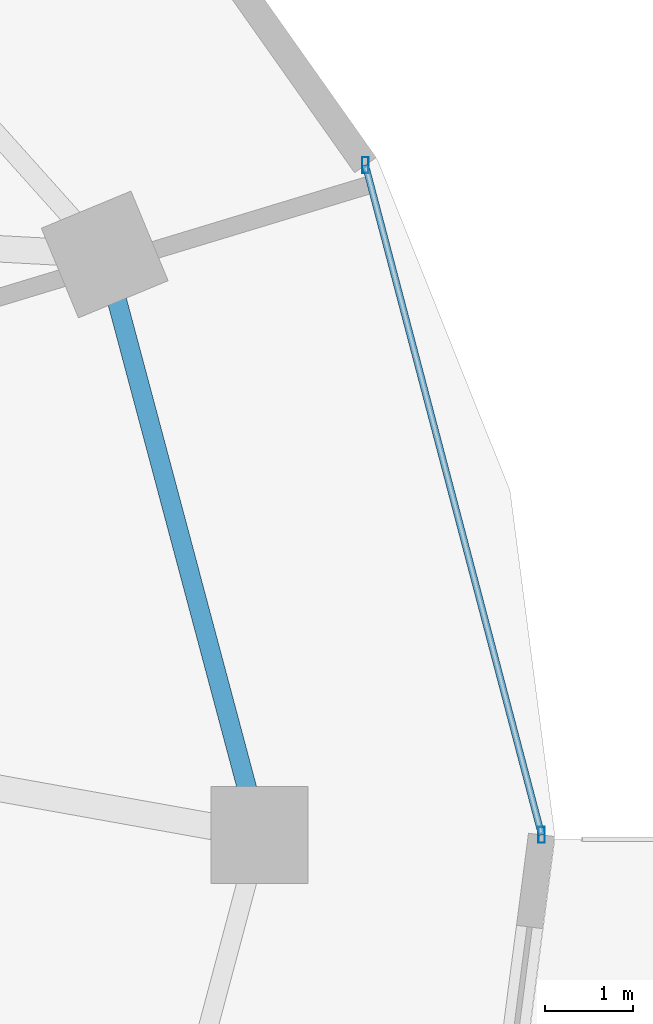
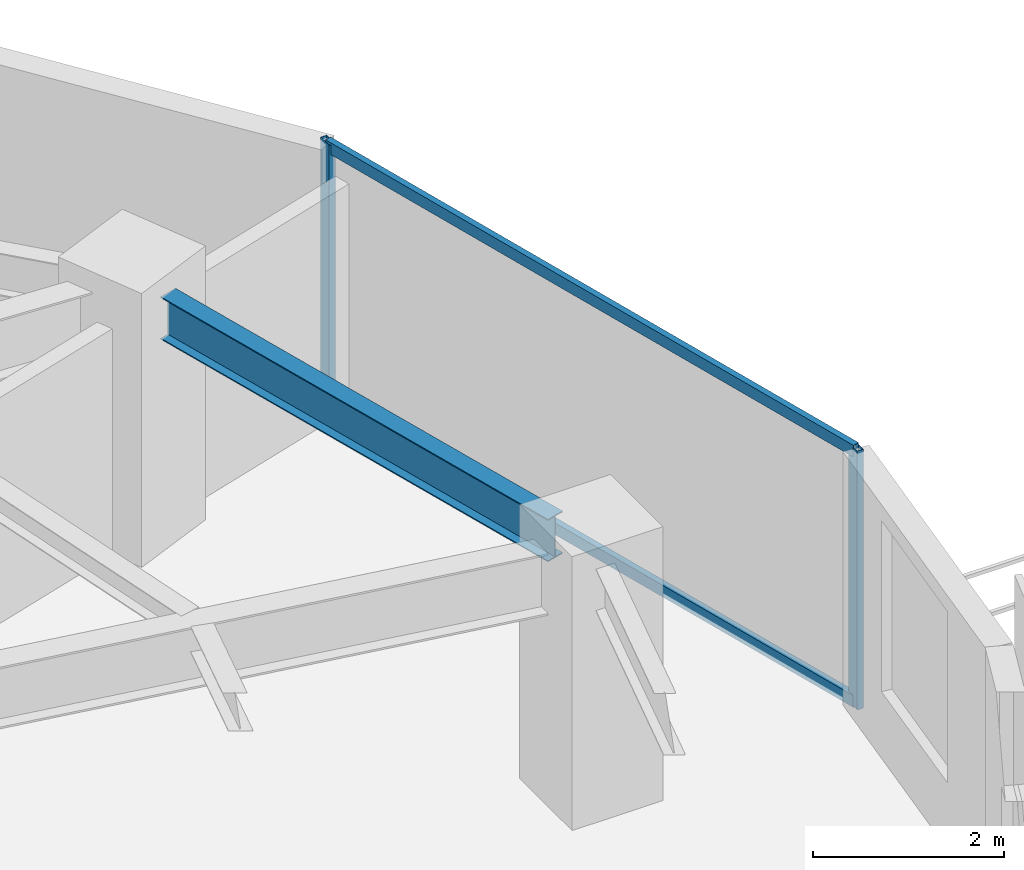
# One storey, part 15 of 29: 4 members, 1 beam, 1 element without a shape of its own.
"""IFC4 building model written with IfcOpenShell, lengths in metres."""

from ifc_helpers import new_model, si_unit, direction, frame, origin, origin_2d, place, context, subcontext, project, spatial, hollow_rectangle, i_section, extrude, material, material_profile, profile_set, type_object, element, aggregate, save


model = new_model("IFC4")

# Units and contexts
model_context = context("Model", 3, precision=1e-05, world=origin(), true_north=direction((0.0, 1.0)))
body_context = subcontext(model_context, "Body", "Model", "MODEL_VIEW")
ifc_project = project(units=[si_unit("LENGTHUNIT", "METRE"), si_unit("AREAUNIT", "SQUARE_METRE"), si_unit("VOLUMEUNIT", "CUBIC_METRE"), si_unit("PLANEANGLEUNIT", "RADIAN"), si_unit("MASSUNIT", "GRAM", prefix="KILO")], contexts=[model_context])

# Site, building, storey
site_placement = place(None, origin())
site = spatial("IfcSite", under=ifc_project, at=site_placement, CompositionType="ELEMENT")
building_placement = place(site_placement, origin())
building = spatial("IfcBuilding", under=site, at=building_placement, Name="Vorneva Point Tower", CompositionType="ELEMENT")
storey_placement = place(building_placement, frame((0.0, 0.0, 113.800048828125)))
storey = spatial("IfcBuildingStorey", under=building, at=storey_placement, Name="L30", CompositionType="ELEMENT", Elevation=113.800048828125)

# Beam
ifc_material_1 = material(Name="Steel S355", Category="steel")
ifc_material_profile_1 = material_profile(ifc_material_1, i_section(OverallWidth=0.219970703125, OverallDepth=0.54296875, WebThickness=0.009521484375, FlangeThickness=0.013427734375, at=origin_2d()), Name="55B1")
ifc_profile_set_1 = profile_set([ifc_material_profile_1], Name="Steel S355")
beam_type = type_object("IfcBeamType", Name="BM-SPN-55B1", PredefinedType="SPANDREL", material=ifc_profile_set_1)
beam_placement = place(storey_placement, frame((60.912109375, 26.516845703125, 2.968505859375), z_axis=(-0.257572674071, 0.966258928845, 0.0), x_axis=(-0.966258928845, -0.257572674071, 0.0)))
element("IfcBeam", 1, at=beam_placement, inside=storey, type_object=beam_type, Name="L30 Perimeter Spandrel Ring Beam 01", PredefinedType="SPANDREL", context=body_context, shape_type="SweptSolid", body=[
    extrude(i_section(OverallWidth=0.219970703125, OverallDepth=0.54296875, WebThickness=0.009521484375, FlangeThickness=0.013427734375, at=origin_2d()), origin(), (0.0, 0.0, 1.0), 5.7421875),
])

# Curtain wall, members
ifc_material_2 = material(Name="Pale anodised aluminium", Category="aluminium")
curtain_wall_type = type_object("IfcCurtainWallType", Name="CW-HTL-SYS", PredefinedType="NOTDEFINED", material=ifc_material_2)
curtain_wall_placement = place(storey_placement, origin())
curtain_wall = element("IfcCurtainWall", 2, at=curtain_wall_placement, inside=storey, type_object=curtain_wall_type, Name="L30 Unitised Curtain Wall CW-L30-R01", PredefinedType="NOTDEFINED")
ifc_material_profile_2 = material_profile(ifc_material_2, hollow_rectangle(XDim=0.074951171875, YDim=0.179931640625, WallThickness=0.00390625, at=origin_2d()), Name="AL-MUL 180x75x4")
ifc_profile_set_2 = profile_set([ifc_material_profile_2], Name="Pale anodised aluminium")
member_type_1 = type_object("IfcMemberType", Name="CW-MUL-180", PredefinedType="MULLION", material=ifc_profile_set_2)
member_1_placement = place(storey_placement, frame((64.25, 26.0, -0.0400390625), z_axis=(0.0, 0.0, 1.0), x_axis=(1.0, 0.0, 0.0)))
member_1 = element("IfcMember", 3, at=member_1_placement, type_object=member_type_1, Name="CW-L30-R01 Mullion 01", PredefinedType="MULLION", context=body_context, shape_type="SweptSolid", body=[
    extrude(hollow_rectangle(XDim=0.074951171875, YDim=0.179931640625, WallThickness=0.00390625, at=origin_2d()), origin(), (0.0, 0.0, 1.0), 3.31005859375),
])
member_2_placement = place(storey_placement, frame((62.251708984375, 33.59619140625, -0.0400390625), z_axis=(0.0, 0.0, 1.0), x_axis=(1.0, 0.0, 0.0)))
member_2 = element("IfcMember", 4, at=member_2_placement, type_object=member_type_1, Name="CW-L30-R01 Mullion 02", PredefinedType="MULLION", context=body_context, shape_type="SweptSolid", body=[
    extrude(hollow_rectangle(XDim=0.074951171875, YDim=0.179931640625, WallThickness=0.00390625, at=origin_2d()), origin(), (0.0, 0.0, 1.0), 3.31005859375),
])
ifc_material_profile_3 = material_profile(ifc_material_2, hollow_rectangle(XDim=0.074951171875, YDim=0.14990234375, WallThickness=0.00390625, at=origin_2d()), Name="AL-TRN 150x75x4")
ifc_profile_set_3 = profile_set([ifc_material_profile_3], Name="Pale anodised aluminium")
member_type_2 = type_object("IfcMemberType", Name="CW-TRN-150", PredefinedType="USERDEFINED", material=ifc_profile_set_3)
member_3_placement = place(storey_placement, frame((64.25, 26.0, 0.02001953125), z_axis=(-0.254409150465, 0.967096677773, 0.0), x_axis=(-0.967096677773, -0.254409150465, 0.0)))
member_3 = element("IfcMember", 5, at=member_3_placement, type_object=member_type_2, Name="CW-L30-R01 Transom 01.1", ObjectType="TRANSOM", PredefinedType="USERDEFINED", context=body_context, shape_type="SweptSolid", body=[
    extrude(hollow_rectangle(XDim=0.074951171875, YDim=0.14990234375, WallThickness=0.00390625, at=origin_2d()), origin(), (0.0, 0.0, 1.0), 7.854736328125),
])
member_4_placement = place(storey_placement, frame((64.25, 26.0, 3.219970703125), z_axis=(-0.254409150465, 0.967096677773, 0.0), x_axis=(-0.967096677773, -0.254409150465, 0.0)))
member_4 = element("IfcMember", 6, at=member_4_placement, type_object=member_type_2, Name="CW-L30-R01 Transom 01.2", ObjectType="TRANSOM", PredefinedType="USERDEFINED", context=body_context, shape_type="SweptSolid", body=[
    extrude(hollow_rectangle(XDim=0.074951171875, YDim=0.14990234375, WallThickness=0.00390625, at=origin_2d()), origin(), (0.0, 0.0, 1.0), 7.854736328125),
])
aggregate(curtain_wall, [member_1, member_2, member_3, member_4])

save(model, "model.ifc")
